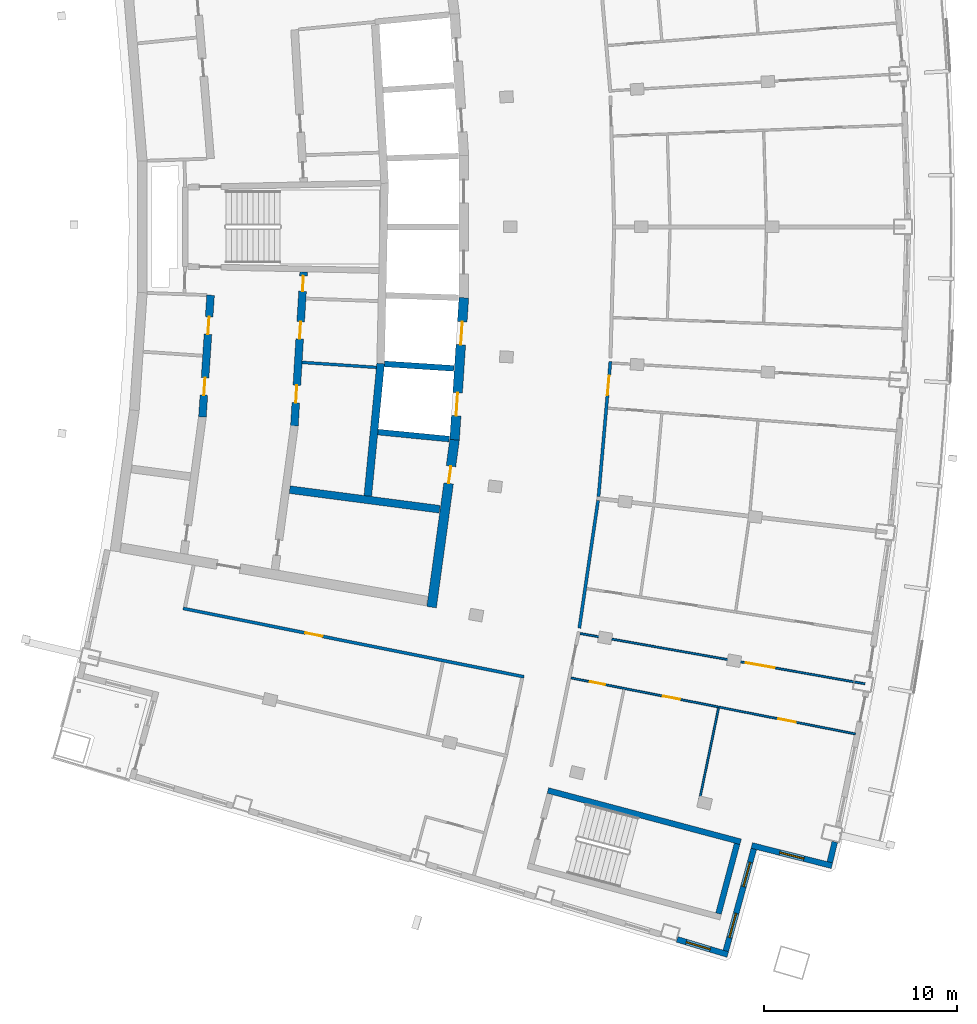
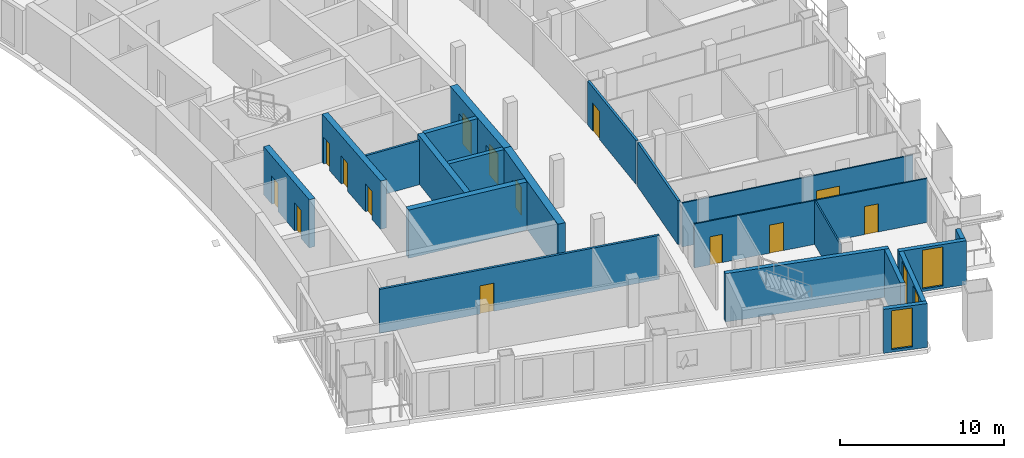
# One storey, part 8 of 17: 21 walls, 14 doors, 4 windows, 18 openings.
"""IFC4 building model written with IfcOpenShell, lengths in metres."""

from ifc_helpers import new_model, si_unit, direction, frame, frame_2d, origin, place, context, subcontext, project, spatial, rectangle, extrude, material, layer, layer_set, type_object, element, fill, save


model = new_model("IFC4")

# Units and contexts
model_context = context("Model", 3, precision=1e-05, world=origin(), true_north=direction((0.0, 1.0)))
body_context = subcontext(model_context, "Body", "Model", "MODEL_VIEW")
ifc_project = project(units=[si_unit("LENGTHUNIT", "METRE"), si_unit("AREAUNIT", "SQUARE_METRE"), si_unit("VOLUMEUNIT", "CUBIC_METRE"), si_unit("PLANEANGLEUNIT", "RADIAN"), si_unit("MASSUNIT", "GRAM", prefix="KILO")], contexts=[model_context])

# Site, building, storey
site_placement = place(None, origin())
site = spatial("IfcSite", under=ifc_project, at=site_placement, CompositionType="ELEMENT")
building_placement = place(site_placement, origin())
building = spatial("IfcBuilding", under=site, at=building_placement, Name="Alderwake Tower", CompositionType="ELEMENT")
storey_placement = place(building_placement, frame((0.0, 0.0, 274.39990234375)))
storey = spatial("IfcBuildingStorey", under=building, at=storey_placement, Name="L68", CompositionType="ELEMENT", Elevation=274.39990234375)

# Wall
ifc_material_1 = material(Name="Gypsum shaft wall system, rated")
ifc_layer_1 = layer(ifc_material_1, 0.14990234375)
ifc_layer_set_1 = layer_set([ifc_layer_1], Name="Core room partition 150")
wall_type_1 = type_object("IfcWallType", Name="Core room partition 150", PredefinedType="PARTITIONING", material=ifc_layer_set_1)
wall_1_placement = place(storey_placement, frame((24.990234375, 53.96142578125, 0.0), z_axis=(0.0, 0.0, 1.0), x_axis=(0.997758824467, -0.06691284031, 0.0)))
element("IfcWall", 1, at=wall_1_placement, inside=storey, type_object=wall_type_1, Name="CW/L68/PR-70_+86", PredefinedType="PARTITIONING", context=body_context, shape_type="SweptSolid", body=[
    extrude(rectangle(XDim=3.86767578125, YDim=0.14990234375, at=frame_2d((1.933837890625, 0.0))), origin(), (0.0, 0.0, 1.0), 3.280029296875),
])

# Wall, opening, door
ifc_material_2 = material(Name="Concrete C70/85", Category="concrete")
ifc_layer_2 = layer(ifc_material_2, 0.5)
ifc_layer_set_2 = layer_set([ifc_layer_2], Name="Core wall outer 500 C70-85")
wall_type_2 = type_object("IfcWallType", Name="Core wall outer 500 C70-85", PredefinedType="SHEAR", material=ifc_layer_set_2)
wall_2_placement = place(storey_placement, frame((32.912109375, 49.960693359375, 0.0), z_axis=(0.0, 0.0, 1.0), x_axis=(-0.1358539401, -0.990728876615, 0.0)))
wall_2 = element("IfcWall", 2, at=wall_2_placement, inside=storey, type_object=wall_type_2, Name="Core wall CW.022", PredefinedType="SHEAR", context=body_context, shape_type="SweptSolid", body=[
    extrude(rectangle(XDim=8.794921875, YDim=0.5, at=frame_2d((4.3974609375, 0.0))), origin(), (0.0, 0.0, 1.0), 3.60009765625),
])
opening_1_placement = place(wall_2_placement, frame((1.40283203125, 0.0, 0.0)))
opening_1 = element("IfcOpeningElement", 3, at=opening_1_placement, cuts=wall_2, Name="Opening C050", PredefinedType="OPENING", context=body_context, shape_type="SweptSolid", body=[
    extrude(rectangle(XDim=0.89990234375, YDim=2.10009765625, at=frame_2d((0.449951171875, 1.050048828125))), frame((0.0, 0.260009765625, 0.0), z_axis=(0.0, -1.0, 0.0), x_axis=(1.0, 0.0, 0.0)), (0.0, 0.0, 1.0), 0.52001953125),
])
ifc_material_3 = material(Name="Painted steel leaf", Category="steel")
door_type_1 = type_object("IfcDoorType", Name="Core room door 900", OperationType="SINGLE_SWING_LEFT", PredefinedType="DOOR", material=ifc_material_3)
door_1_placement = place(opening_1_placement, origin())
door_1 = element("IfcDoor", 4, at=door_1_placement, inside=storey, type_object=door_type_1, Name="Room door", OperationType="SINGLE_SWING_RIGHT", OverallHeight=2.10009765625, OverallWidth=0.89990234375, PredefinedType="DOOR", context=body_context, shape_type="SweptSolid", body=[
    extrude(rectangle(XDim=0.89990234375, YDim=2.10009765625, at=frame_2d((0.449951171875, 1.050048828125))), frame((0.0, 0.02490234375, 0.0), z_axis=(0.0, -1.0, 0.0), x_axis=(1.0, 0.0, 0.0)), (0.0, 0.0, 1.0), 0.050048828125),
])
fill(opening_1, door_1)

# Wall, openings, doors
wall_3_placement = place(storey_placement, frame((32.91015625, 49.942138671875, 0.0), z_axis=(0.0, 0.0, 1.0), x_axis=(0.064980500916, 0.997886533881, 0.0)))
wall_3 = element("IfcWall", 5, at=wall_3_placement, inside=storey, type_object=wall_type_2, Name="Core wall CW.021", PredefinedType="SHEAR", context=body_context, shape_type="SweptSolid", body=[
    extrude(rectangle(XDim=7.39404296875, YDim=0.5, at=frame_2d((3.697021484375, 0.0))), origin(), (0.0, 0.0, 1.0), 3.60009765625),
])
opening_2_placement = place(wall_3_placement, frame((1.253173828125, 0.0, 0.0)))
opening_2 = element("IfcOpeningElement", 6, at=opening_2_placement, cuts=wall_3, Name="Opening LD-HP1", PredefinedType="OPENING", context=body_context, shape_type="SweptSolid", body=[
    extrude(rectangle(XDim=1.199951171875, YDim=2.300048828125, at=frame_2d((0.60009765625, 1.14990234375))), frame((0.0, 0.260009765625, 0.0), z_axis=(0.0, -1.0, 0.0), x_axis=(1.0, 0.0, 0.0)), (0.0, 0.0, 1.0), 0.52001953125),
])
opening_3_placement = place(wall_3_placement, frame((4.941650390625, 0.0, 0.0)))
opening_3 = element("IfcOpeningElement", 7, at=opening_3_placement, cuts=wall_3, Name="Opening LD-HP2", PredefinedType="OPENING", context=body_context, shape_type="SweptSolid", body=[
    extrude(rectangle(XDim=1.199951171875, YDim=2.300048828125, at=frame_2d((0.60009765625, 1.14990234375))), frame((0.0, 0.260009765625, 0.0), z_axis=(0.0, -1.0, 0.0), x_axis=(1.0, 0.0, 0.0)), (0.0, 0.0, 1.0), 0.52001953125),
])
ifc_material_4 = material(Name="Stainless steel sliding leaf", Category="steel")
door_type_2 = type_object("IfcDoorType", Name="Lift landing door 1200", OperationType="SLIDING_TO_LEFT", PredefinedType="DOOR", material=ifc_material_4)
door_2_placement = place(opening_2_placement, origin())
door_2 = element("IfcDoor", 8, at=door_2_placement, inside=storey, type_object=door_type_2, Name="Lift landing door HP1", OperationType="SLIDING_TO_LEFT", OverallHeight=2.300048828125, OverallWidth=1.199951171875, PredefinedType="DOOR", context=body_context, shape_type="SweptSolid", body=[
    extrude(rectangle(XDim=1.199951171875, YDim=2.300048828125, at=frame_2d((0.60009765625, 1.14990234375))), frame((0.0, 0.02490234375, 0.0), z_axis=(0.0, -1.0, 0.0), x_axis=(1.0, 0.0, 0.0)), (0.0, 0.0, 1.0), 0.050048828125),
])
fill(opening_2, door_2)
door_3_placement = place(opening_3_placement, origin())
door_3 = element("IfcDoor", 9, at=door_3_placement, inside=storey, type_object=door_type_2, Name="Lift landing door HP2", OperationType="SLIDING_TO_LEFT", OverallHeight=2.300048828125, OverallWidth=1.199951171875, PredefinedType="DOOR", context=body_context, shape_type="SweptSolid", body=[
    extrude(rectangle(XDim=1.199951171875, YDim=2.300048828125, at=frame_2d((0.60009765625, 1.14990234375))), frame((0.0, 0.02490234375, 0.0), z_axis=(0.0, -1.0, 0.0), x_axis=(1.0, 0.0, 0.0)), (0.0, 0.0, 1.0), 0.050048828125),
])
fill(opening_3, door_3)

# Walls
ifc_material_5 = material(Name="Concrete C70/85", Category="concrete")
ifc_layer_3 = layer(ifc_material_5, 0.300048828125)
ifc_layer_set_3 = layer_set([ifc_layer_3], Name="Core wall shaft 300 C70-85")
wall_type_3 = type_object("IfcWallType", Name="Core wall shaft 300 C70-85", PredefinedType="SHEAR", material=ifc_layer_set_3)
wall_4_placement = place(storey_placement, frame((28.92529296875, 50.341552734375, 0.0), z_axis=(0.0, 0.0, 1.0), x_axis=(0.995243989982, -0.097413553492, 0.0)))
element("IfcWall", 10, at=wall_4_placement, inside=storey, type_object=wall_type_3, Name="Core wall CW.064", PredefinedType="SHEAR", context=body_context, shape_type="SweptSolid", body=[
    extrude(rectangle(XDim=3.724365234375, YDim=0.300048828125, at=frame_2d((1.8623046875, 0.0))), origin(), (0.0, 0.0, 1.0), 3.60009765625),
])
wall_5_placement = place(storey_placement, frame((29.268798828125, 53.884521484375, 0.0), z_axis=(0.0, 0.0, 1.0), x_axis=(0.997885735437, -0.064992761217, 0.0)))
element("IfcWall", 11, at=wall_5_placement, inside=storey, type_object=wall_type_3, Name="Core wall CW.078", PredefinedType="SHEAR", context=body_context, shape_type="SweptSolid", body=[
    extrude(rectangle(XDim=3.60986328125, YDim=0.300048828125, at=frame_2d((1.804931640625, 0.0))), origin(), (0.0, 0.0, 1.0), 3.60009765625),
])

# Wall, openings, doors
ifc_material_6 = material(Name="Concrete C70/85", Category="concrete")
ifc_layer_4 = layer(ifc_material_6, 0.39990234375)
ifc_layer_set_4 = layer_set([ifc_layer_4], Name="Core wall spine 400 C70-85")
wall_type_4 = type_object("IfcWallType", Name="Core wall spine 400 C70-85", PredefinedType="SHEAR", material=ifc_layer_set_4)
wall_6_placement = place(storey_placement, frame((20.2373046875, 57.451904296875, 0.0), z_axis=(0.0, 0.0, 1.0), x_axis=(-0.066884681503, -0.997760712486, 0.0)))
wall_6 = element("IfcWall", 12, at=wall_6_placement, inside=storey, type_object=wall_type_4, Name="Core wall CW.032", PredefinedType="SHEAR", context=body_context, shape_type="SweptSolid", body=[
    extrude(rectangle(XDim=6.336669921875, YDim=0.39990234375, at=frame_2d((3.16845703125, 0.0))), origin(), (0.0, 0.0, 1.0), 3.60009765625),
])
opening_4_placement = place(wall_6_placement, frame((4.29736328125, 0.0, 0.0)))
opening_4 = element("IfcOpeningElement", 13, at=opening_4_placement, cuts=wall_6, Name="Opening C038", PredefinedType="OPENING", context=body_context, shape_type="SweptSolid", body=[
    extrude(rectangle(XDim=0.89990234375, YDim=2.10009765625, at=frame_2d((0.449951171875, 1.050048828125))), frame((0.0, 0.2099609375, 0.0), z_axis=(0.0, -1.0, 0.0), x_axis=(1.0, 0.0, 0.0)), (0.0, 0.0, 1.0), 0.419921875),
])
opening_5_placement = place(wall_6_placement, frame((1.132080078125, 0.0, 0.0)))
opening_5 = element("IfcOpeningElement", 14, at=opening_5_placement, cuts=wall_6, Name="Opening C042", PredefinedType="OPENING", context=body_context, shape_type="SweptSolid", body=[
    extrude(rectangle(XDim=0.89990234375, YDim=2.10009765625, at=frame_2d((0.449951171875, 1.050048828125))), frame((0.0, 0.2099609375, 0.0), z_axis=(0.0, -1.0, 0.0), x_axis=(1.0, 0.0, 0.0)), (0.0, 0.0, 1.0), 0.419921875),
])
door_4_placement = place(opening_4_placement, origin())
door_4 = element("IfcDoor", 15, at=door_4_placement, inside=storey, type_object=door_type_1, Name="Room door", OperationType="SINGLE_SWING_RIGHT", OverallHeight=2.10009765625, OverallWidth=0.89990234375, PredefinedType="DOOR", context=body_context, shape_type="SweptSolid", body=[
    extrude(rectangle(XDim=0.89990234375, YDim=2.10009765625, at=frame_2d((0.449951171875, 1.050048828125))), frame((0.0, 0.02490234375, 0.0), z_axis=(0.0, -1.0, 0.0), x_axis=(1.0, 0.0, 0.0)), (0.0, 0.0, 1.0), 0.050048828125),
])
fill(opening_4, door_4)
door_5_placement = place(opening_5_placement, origin())
door_5 = element("IfcDoor", 16, at=door_5_placement, inside=storey, type_object=door_type_1, Name="Room door", OperationType="SINGLE_SWING_LEFT", OverallHeight=2.10009765625, OverallWidth=0.89990234375, PredefinedType="DOOR", context=body_context, shape_type="SweptSolid", body=[
    extrude(rectangle(XDim=0.89990234375, YDim=2.10009765625, at=frame_2d((0.449951171875, 1.050048828125))), frame((0.0, 0.02490234375, 0.0), z_axis=(0.0, -1.0, 0.0), x_axis=(1.0, 0.0, 0.0)), (0.0, 0.0, 1.0), 0.050048828125),
])
fill(opening_5, door_5)

wall_7_placement = place(storey_placement, frame((24.590087890625, 50.65673828125, 0.0), z_axis=(0.0, 0.0, 1.0), x_axis=(0.060318641452, 0.998179173041, 0.0)))
wall_7 = element("IfcWall", 17, at=wall_7_placement, inside=storey, type_object=wall_type_4, Name="Core wall CW.046", PredefinedType="SHEAR", context=body_context, shape_type="SweptSolid", body=[
    extrude(rectangle(XDim=8.022216796875, YDim=0.39990234375, at=frame_2d((4.01123046875, 0.0))), origin(), (0.0, 0.0, 1.0), 3.60009765625),
])
opening_6_placement = place(wall_7_placement, frame((7.006103515625, 0.0, 0.0)))
opening_6 = element("IfcOpeningElement", 18, at=opening_6_placement, cuts=wall_7, Name="Opening C006", PredefinedType="OPENING", context=body_context, shape_type="SweptSolid", body=[
    extrude(rectangle(XDim=0.800048828125, YDim=2.0, at=frame_2d((0.39990234375, 1.0))), frame((0.0, 0.2099609375, 0.0), z_axis=(0.0, -1.0, 0.0), x_axis=(1.0, 0.0, 0.0)), (0.0, 0.0, 1.0), 0.419921875),
])
opening_7_placement = place(wall_7_placement, frame((1.21533203125, 0.0, 0.0)))
opening_7 = element("IfcOpeningElement", 19, at=opening_7_placement, cuts=wall_7, Name="Opening C044", PredefinedType="OPENING", context=body_context, shape_type="SweptSolid", body=[
    extrude(rectangle(XDim=0.89990234375, YDim=2.10009765625, at=frame_2d((0.449951171875, 1.050048828125))), frame((0.0, 0.2099609375, 0.0), z_axis=(0.0, -1.0, 0.0), x_axis=(1.0, 0.0, 0.0)), (0.0, 0.0, 1.0), 0.419921875),
])
opening_8_placement = place(wall_7_placement, frame((4.531982421875, 0.0, 0.0)))
opening_8 = element("IfcOpeningElement", 20, at=opening_8_placement, cuts=wall_7, Name="Opening C048", PredefinedType="OPENING", context=body_context, shape_type="SweptSolid", body=[
    extrude(rectangle(XDim=0.89990234375, YDim=2.10009765625, at=frame_2d((0.449951171875, 1.050048828125))), frame((0.0, 0.2099609375, 0.0), z_axis=(0.0, -1.0, 0.0), x_axis=(1.0, 0.0, 0.0)), (0.0, 0.0, 1.0), 0.419921875),
])
door_6_placement = place(opening_7_placement, origin())
door_6 = element("IfcDoor", 21, at=door_6_placement, inside=storey, type_object=door_type_1, Name="Room door", OperationType="SINGLE_SWING_RIGHT", OverallHeight=2.10009765625, OverallWidth=0.89990234375, PredefinedType="DOOR", context=body_context, shape_type="SweptSolid", body=[
    extrude(rectangle(XDim=0.89990234375, YDim=2.10009765625, at=frame_2d((0.449951171875, 1.050048828125))), frame((0.0, 0.02490234375, 0.0), z_axis=(0.0, -1.0, 0.0), x_axis=(1.0, 0.0, 0.0)), (0.0, 0.0, 1.0), 0.050048828125),
])
fill(opening_7, door_6)
door_7_placement = place(opening_8_placement, origin())
door_7 = element("IfcDoor", 22, at=door_7_placement, inside=storey, type_object=door_type_1, Name="Room door", OperationType="SINGLE_SWING_LEFT", OverallHeight=2.10009765625, OverallWidth=0.89990234375, PredefinedType="DOOR", context=body_context, shape_type="SweptSolid", body=[
    extrude(rectangle(XDim=0.89990234375, YDim=2.10009765625, at=frame_2d((0.449951171875, 1.050048828125))), frame((0.0, 0.02490234375, 0.0), z_axis=(0.0, -1.0, 0.0), x_axis=(1.0, 0.0, 0.0)), (0.0, 0.0, 1.0), 0.050048828125),
])
fill(opening_8, door_7)
ifc_material_7 = material(Name="Painted steel leaf, rated", Category="steel")
door_type_3 = type_object("IfcDoorType", Name="Riser access door 800", OperationType="SINGLE_SWING_LEFT", PredefinedType="DOOR", material=ifc_material_7)
door_8_placement = place(opening_6_placement, origin())
door_8 = element("IfcDoor", 23, at=door_8_placement, inside=storey, type_object=door_type_3, Name="Riser access door", OperationType="SINGLE_SWING_RIGHT", OverallHeight=2.0, OverallWidth=0.800048828125, PredefinedType="DOOR", context=body_context, shape_type="SweptSolid", body=[
    extrude(rectangle(XDim=0.800048828125, YDim=2.0, at=frame_2d((0.39990234375, 1.0))), frame((0.0, 0.02490234375, 0.0), z_axis=(0.0, -1.0, 0.0), x_axis=(1.0, 0.0, 0.0)), (0.0, 0.0, 1.0), 0.050048828125),
])
fill(opening_6, door_8)

# Walls
wall_8_placement = place(storey_placement, frame((28.402587890625, 47.0234375, 0.0), z_axis=(0.0, 0.0, 1.0), x_axis=(0.096500230077, 0.995332962177, 0.0)))
element("IfcWall", 24, at=wall_8_placement, inside=storey, type_object=wall_type_4, Name="Core wall CW.005", PredefinedType="SHEAR", context=body_context, shape_type="SweptSolid", body=[
    extrude(rectangle(XDim=6.914306640625, YDim=0.39990234375, at=frame_2d((3.45703125, 0.0))), origin(), (0.0, 0.0, 1.0), 3.60009765625),
])
wall_9_placement = place(storey_placement, frame((24.344482421875, 47.3525390625, 0.0), z_axis=(0.0, 0.0, 1.0), x_axis=(0.991554935657, -0.129687353175, 0.0)))
element("IfcWall", 25, at=wall_9_placement, inside=storey, type_object=wall_type_4, Name="Core wall CW.069", PredefinedType="SHEAR", context=body_context, shape_type="SweptSolid", body=[
    extrude(rectangle(XDim=7.85400390625, YDim=0.39990234375, at=frame_2d((3.927001953125, 0.0))), origin(), (0.0, 0.0, 1.0), 3.60009765625),
])
ifc_material_8 = material(Name="Concrete C70/85", Category="concrete")
ifc_layer_5 = layer(ifc_material_8, 0.300048828125)
ifc_layer_set_5 = layer_set([ifc_layer_5], Name="Core wall stair enclosure 300 C70-85")
wall_type_5 = type_object("IfcWallType", Name="Core wall stair enclosure 300 C70-85", PredefinedType="SHEAR", material=ifc_layer_set_5)
wall_10_placement = place(storey_placement, frame((37.75390625, 31.731201171875, 0.0), z_axis=(0.0, 0.0, 1.0), x_axis=(0.966309214305, -0.257383958996, 0.0)))
element("IfcWall", 26, at=wall_10_placement, inside=storey, type_object=wall_type_5, Name="Core wall CW.086", PredefinedType="SHEAR", context=body_context, shape_type="SweptSolid", body=[
    extrude(rectangle(XDim=10.360107421875, YDim=0.300048828125, at=frame_2d((5.18017578125, 0.0))), origin(), (0.0, 0.0, 1.0), 3.60009765625),
])
wall_11_placement = place(storey_placement, frame((46.6162109375, 25.334716796875, 0.0), z_axis=(0.0, 0.0, 1.0), x_axis=(0.257366821694, 0.966313778796, 0.0)))
element("IfcWall", 27, at=wall_11_placement, inside=storey, type_object=wall_type_5, Name="Core wall CW.085", PredefinedType="SHEAR", context=body_context, shape_type="SweptSolid", body=[
    extrude(rectangle(XDim=3.749755859375, YDim=0.300048828125, at=frame_2d((1.875, 0.0))), origin(), (0.0, 0.0, 1.0), 3.60009765625),
])

# Wall, opening, door
ifc_material_9 = material(Name="Gypsum board on metal studs, rated")
ifc_layer_6 = layer(ifc_material_9, 0.159912109375)
ifc_layer_set_6 = layer_set([ifc_layer_6], Name="Corridor wall 160")
wall_type_6 = type_object("IfcWallType", Name="Corridor wall 160", PredefinedType="PARTITIONING", material=ifc_layer_set_6)
wall_12_placement = place(storey_placement, frame((36.513427734375, 37.63427734375, 0.0), z_axis=(0.0, 0.0, 1.0), x_axis=(-0.980470254867, 0.1966674333, 0.0)))
wall_12 = element("IfcWall", 28, at=wall_12_placement, inside=storey, type_object=wall_type_6, Name="WL/L68/W07", PredefinedType="PARTITIONING", context=body_context, shape_type="SweptSolid", body=[
    extrude(rectangle(XDim=18.053466796875, YDim=0.159912109375, at=frame_2d((9.02685546875, 0.0))), origin(), (0.0, 0.0, 1.0), 3.280029296875),
])
opening_9_placement = place(wall_12_placement, frame((10.6767578125, 0.0, 0.0)))
opening_9 = element("IfcOpeningElement", 29, at=opening_9_placement, cuts=wall_12, Name="Opening R19-SBS1", PredefinedType="OPENING", context=body_context, shape_type="SweptSolid", body=[
    extrude(rectangle(XDim=0.89990234375, YDim=2.10009765625, at=frame_2d((0.449951171875, 1.050048828125))), frame((0.0, 0.08984375, 0.0), z_axis=(0.0, -1.0, 0.0), x_axis=(1.0, 0.0, 0.0)), (0.0, 0.0, 1.0), 0.179931640625),
])
ifc_material_10 = material(Name="Painted timber leaf", Category="wood")
door_type_4 = type_object("IfcDoorType", Name="Room door 900", OperationType="SINGLE_SWING_LEFT", PredefinedType="DOOR", material=ifc_material_10)
door_9_placement = place(opening_9_placement, origin())
door_9 = element("IfcDoor", 30, at=door_9_placement, inside=storey, type_object=door_type_4, Name="DR/L68/SBS1", OperationType="SINGLE_SWING_LEFT", OverallHeight=2.10009765625, OverallWidth=0.89990234375, PredefinedType="DOOR", context=body_context, shape_type="SweptSolid", body=[
    extrude(rectangle(XDim=0.89990234375, YDim=2.10009765625, at=frame_2d((0.449951171875, 1.050048828125))), frame((0.0, 0.02490234375, 0.0), z_axis=(0.0, -1.0, 0.0), x_axis=(1.0, 0.0, 0.0)), (0.0, 0.0, 1.0), 0.050048828125),
])
fill(opening_9, door_9)

# Wall
wall_13_placement = place(storey_placement, frame((39.38671875, 40.160888671875, 0.0), z_axis=(0.0, 0.0, 1.0), x_axis=(0.145513909196, 0.989356205939, 0.0)))
element("IfcWall", 31, at=wall_13_placement, inside=storey, type_object=wall_type_6, Name="WL/L68/W19", PredefinedType="PARTITIONING", context=body_context, shape_type="SweptSolid", body=[
    extrude(rectangle(XDim=6.704345703125, YDim=0.159912109375, at=frame_2d((3.35205078125, 0.0))), origin(), (0.0, 0.0, 1.0), 3.280029296875),
])

# Wall, opening, door
wall_14_placement = place(storey_placement, frame((41.001953125, 54.013671875, 0.0), z_axis=(0.0, 0.0, 1.0), x_axis=(-0.087430787456, -0.996170596537, 0.0)))
wall_14 = element("IfcWall", 32, at=wall_14_placement, inside=storey, type_object=wall_type_6, Name="WL/L68/W22", PredefinedType="PARTITIONING", context=body_context, shape_type="SweptSolid", body=[
    extrude(rectangle(XDim=7.048095703125, YDim=0.159912109375, at=frame_2d((3.52392578125, 0.0))), origin(), (0.0, 0.0, 1.0), 3.280029296875),
])
opening_10_placement = place(wall_14_placement, frame((0.75830078125, 0.0, 0.0)))
opening_10 = element("IfcOpeningElement", 33, at=opening_10_placement, cuts=wall_14, Name="Opening R19-U04.2", PredefinedType="OPENING", context=body_context, shape_type="SweptSolid", body=[
    extrude(rectangle(XDim=1.0, YDim=2.10009765625, at=frame_2d((0.5, 1.050048828125))), frame((0.0, 0.08984375, 0.0), z_axis=(0.0, -1.0, 0.0), x_axis=(1.0, 0.0, 0.0)), (0.0, 0.0, 1.0), 0.179931640625),
])
ifc_material_11 = material(Name="Solid timber leaf in steel frame", Category="steel")
door_type_5 = type_object("IfcDoorType", Name="Flat entrance door 1000 fire-rated", OperationType="SINGLE_SWING_LEFT", PredefinedType="DOOR", material=ifc_material_11)
door_10_placement = place(opening_10_placement, origin())
door_10 = element("IfcDoor", 34, at=door_10_placement, inside=storey, type_object=door_type_5, Name="DR/L68/U04.2", OperationType="SINGLE_SWING_LEFT", OverallHeight=2.10009765625, OverallWidth=1.0, PredefinedType="DOOR", context=body_context, shape_type="SweptSolid", body=[
    extrude(rectangle(XDim=1.0, YDim=2.10009765625, at=frame_2d((0.5, 1.050048828125))), frame((0.0, 0.02490234375, 0.0), z_axis=(0.0, -1.0, 0.0), x_axis=(1.0, 0.0, 0.0)), (0.0, 0.0, 1.0), 0.050048828125),
])
fill(opening_10, door_10)

# Wall
ifc_material_12 = material(Name="Precast concrete C50/60 spandrel panel", Category="concrete")
ifc_layer_7 = layer(ifc_material_12, 0.300048828125)
ifc_layer_set_7 = layer_set([ifc_layer_7], Name="External wall EW1 Precast concrete C50/60 spandrel")
wall_type_7 = type_object("IfcWallType", Name="External wall EW1 Precast concrete C50/60 spandrel", PredefinedType="SOLIDWALL", material=ifc_layer_set_7)
wall_15_placement = place(storey_placement, frame((52.397216796875, 28.002685546875, 0.0), z_axis=(0.0, 0.0, 1.0), x_axis=(0.238401816039, 0.971166604713, 0.0)))
element("IfcWall", 35, at=wall_15_placement, inside=storey, type_object=wall_type_7, Name="External wall 11", PredefinedType="SOLIDWALL", context=body_context, shape_type="SweptSolid", body=[
    extrude(rectangle(XDim=1.08447265625, YDim=0.300048828125, at=frame_2d((0.542236328125, 0.0))), origin(), (0.0, 0.0, 1.0), 3.280029296875),
])

# Wall, opening, window
ifc_material_13 = material(Name="Bronze metal cladding on lightweight framing")
ifc_layer_8 = layer(ifc_material_13, 0.300048828125)
ifc_layer_set_8 = layer_set([ifc_layer_8], Name="External wall EW2 bronze metal cladding")
wall_type_8 = type_object("IfcWallType", Name="External wall EW2 bronze metal cladding", PredefinedType="SOLIDWALL", material=ifc_layer_set_8)
wall_16_placement = place(storey_placement, frame((44.466796875, 23.996826171875, 0.0), z_axis=(0.0, 0.0, 1.0), x_axis=(0.957782232982, -0.287494685489, 0.0)))
wall_16 = element("IfcWall", 36, at=wall_16_placement, inside=storey, type_object=wall_type_8, Name="External wall 8", PredefinedType="SOLIDWALL", context=body_context, shape_type="SweptSolid", body=[
    extrude(rectangle(XDim=2.746337890625, YDim=0.300048828125, at=frame_2d((1.373046875, 0.0))), origin(), (0.0, 0.0, 1.0), 3.280029296875),
])
opening_11_placement = place(wall_16_placement, frame((0.497314453125, 0.0, 0.199951171875)))
opening_11 = element("IfcOpeningElement", 37, at=opening_11_placement, cuts=wall_16, Name="Opening W1", PredefinedType="OPENING", context=body_context, shape_type="SweptSolid", body=[
    extrude(rectangle(XDim=1.300048828125, YDim=2.89990234375, at=frame_2d((0.64990234375, 1.449951171875))), frame((0.0, 0.159912109375, 0.0), z_axis=(0.0, -1.0, 0.0), x_axis=(1.0, 0.0, 0.0)), (0.0, 0.0, 1.0), 0.320068359375),
])
ifc_material_14 = material(Name="Bronze tinted glass in aluminium frame", Category="aluminium")
window_type = type_object("IfcWindowType", Name="Window W1 tall fixed and vent", PartitioningType="DOUBLE_PANEL_VERTICAL", PredefinedType="WINDOW", material=ifc_material_14)
window_1_placement = place(opening_11_placement, origin())
window_1 = element("IfcWindow", 38, at=window_1_placement, inside=storey, type_object=window_type, Name="Window W1 tall fixed and vent", OverallHeight=2.89990234375, OverallWidth=1.300048828125, PartitioningType="DOUBLE_PANEL_VERTICAL", PredefinedType="WINDOW", context=body_context, shape_type="SweptSolid", body=[
    extrude(rectangle(XDim=1.300048828125, YDim=2.89990234375, at=frame_2d((0.64990234375, 1.449951171875))), frame((0.0, 0.030029296875, 0.0), z_axis=(0.0, -1.0, 0.0), x_axis=(1.0, 0.0, 0.0)), (0.0, 0.0, 1.0), 0.06005859375),
])
fill(opening_11, window_1)

# Wall, openings, windows
wall_17_placement = place(storey_placement, frame((46.993408203125, 23.39501953125, 0.0), z_axis=(0.0, 0.0, 1.0), x_axis=(0.265064561746, 0.964230666442, 0.0)))
wall_17 = element("IfcWall", 39, at=wall_17_placement, inside=storey, type_object=wall_type_8, Name="External wall 9", PredefinedType="SOLIDWALL", context=body_context, shape_type="SweptSolid", body=[
    extrude(rectangle(XDim=5.494140625, YDim=0.300048828125, at=frame_2d((2.7470703125, 0.0))), origin(), (0.0, 0.0, 1.0), 3.280029296875),
])
opening_12_placement = place(wall_17_placement, frame((0.7236328125, 0.0, 0.199951171875)))
opening_12 = element("IfcOpeningElement", 40, at=opening_12_placement, cuts=wall_17, Name="Opening W1", PredefinedType="OPENING", context=body_context, shape_type="SweptSolid", body=[
    extrude(rectangle(XDim=1.300048828125, YDim=2.89990234375, at=frame_2d((0.64990234375, 1.449951171875))), frame((0.0, 0.159912109375, 0.0), z_axis=(0.0, -1.0, 0.0), x_axis=(1.0, 0.0, 0.0)), (0.0, 0.0, 1.0), 0.320068359375),
])
opening_13_placement = place(wall_17_placement, frame((3.470703125, 0.0, 0.199951171875)))
opening_13 = element("IfcOpeningElement", 41, at=opening_13_placement, cuts=wall_17, Name="Opening W1", PredefinedType="OPENING", context=body_context, shape_type="SweptSolid", body=[
    extrude(rectangle(XDim=1.300048828125, YDim=2.89990234375, at=frame_2d((0.64990234375, 1.449951171875))), frame((0.0, 0.159912109375, 0.0), z_axis=(0.0, -1.0, 0.0), x_axis=(1.0, 0.0, 0.0)), (0.0, 0.0, 1.0), 0.320068359375),
])
window_2_placement = place(opening_12_placement, origin())
window_2 = element("IfcWindow", 42, at=window_2_placement, inside=storey, type_object=window_type, Name="Window W1 tall fixed and vent", OverallHeight=2.89990234375, OverallWidth=1.300048828125, PartitioningType="DOUBLE_PANEL_VERTICAL", PredefinedType="WINDOW", context=body_context, shape_type="SweptSolid", body=[
    extrude(rectangle(XDim=1.300048828125, YDim=2.89990234375, at=frame_2d((0.64990234375, 1.449951171875))), frame((0.0, 0.030029296875, 0.0), z_axis=(0.0, -1.0, 0.0), x_axis=(1.0, 0.0, 0.0)), (0.0, 0.0, 1.0), 0.06005859375),
])
fill(opening_12, window_2)
window_3_placement = place(opening_13_placement, origin())
window_3 = element("IfcWindow", 43, at=window_3_placement, inside=storey, type_object=window_type, Name="Window W1 tall fixed and vent", OverallHeight=2.89990234375, OverallWidth=1.300048828125, PartitioningType="DOUBLE_PANEL_VERTICAL", PredefinedType="WINDOW", context=body_context, shape_type="SweptSolid", body=[
    extrude(rectangle(XDim=1.300048828125, YDim=2.89990234375, at=frame_2d((0.64990234375, 1.449951171875))), frame((0.0, 0.030029296875, 0.0), z_axis=(0.0, -1.0, 0.0), x_axis=(1.0, 0.0, 0.0)), (0.0, 0.0, 1.0), 0.06005859375),
])
fill(opening_13, window_3)

# Wall, opening, window
wall_18_placement = place(storey_placement, frame((48.343994140625, 28.8740234375, 0.0), z_axis=(0.0, 0.0, 1.0), x_axis=(0.969429385377, -0.245370468408, 0.0)))
wall_18 = element("IfcWall", 44, at=wall_18_placement, inside=storey, type_object=wall_type_8, Name="External wall 10", PredefinedType="SOLIDWALL", context=body_context, shape_type="SweptSolid", body=[
    extrude(rectangle(XDim=4.29443359375, YDim=0.300048828125, at=frame_2d((2.147216796875, 0.0))), origin(), (0.0, 0.0, 1.0), 3.280029296875),
])
opening_14_placement = place(wall_18_placement, frame((1.4970703125, 0.0, 0.199951171875)))
opening_14 = element("IfcOpeningElement", 45, at=opening_14_placement, cuts=wall_18, Name="Opening W1", PredefinedType="OPENING", context=body_context, shape_type="SweptSolid", body=[
    extrude(rectangle(XDim=1.300048828125, YDim=2.89990234375, at=frame_2d((0.64990234375, 1.449951171875))), frame((0.0, 0.159912109375, 0.0), z_axis=(0.0, -1.0, 0.0), x_axis=(1.0, 0.0, 0.0)), (0.0, 0.0, 1.0), 0.320068359375),
])
window_4_placement = place(opening_14_placement, origin())
window_4 = element("IfcWindow", 46, at=window_4_placement, inside=storey, type_object=window_type, Name="Window W1 tall fixed and vent", OverallHeight=2.89990234375, OverallWidth=1.300048828125, PartitioningType="DOUBLE_PANEL_VERTICAL", PredefinedType="WINDOW", context=body_context, shape_type="SweptSolid", body=[
    extrude(rectangle(XDim=1.300048828125, YDim=2.89990234375, at=frame_2d((0.64990234375, 1.449951171875))), frame((0.0, 0.030029296875, 0.0), z_axis=(0.0, -1.0, 0.0), x_axis=(1.0, 0.0, 0.0)), (0.0, 0.0, 1.0), 0.06005859375),
])
fill(opening_14, window_4)

# Wall, openings, doors
ifc_material_15 = material(Name="Gypsum board on metal studs")
ifc_layer_9 = layer(ifc_material_15, 0.10009765625)
ifc_layer_set_9 = layer_set([ifc_layer_9], Name="Unit partition 100")
wall_type_9 = type_object("IfcWallType", Name="Unit partition 100", PredefinedType="PARTITIONING", material=ifc_layer_set_9)
wall_19_placement = place(storey_placement, frame((53.72705078125, 34.6650390625, 0.0), z_axis=(0.0, 0.0, 1.0), x_axis=(-0.981164801692, 0.193172544429, 0.0)))
wall_19 = element("IfcWall", 47, at=wall_19_placement, inside=storey, type_object=wall_type_9, Name="WL/L68/W38", PredefinedType="PARTITIONING", context=body_context, shape_type="SweptSolid", body=[
    extrude(rectangle(XDim=15.061279296875, YDim=0.10009765625, at=frame_2d((7.53076171875, 0.0))), origin(), (0.0, 0.0, 1.0), 3.280029296875),
])
opening_15_placement = place(wall_19_placement, frame((9.288330078125, 0.0, 0.0)))
opening_15 = element("IfcOpeningElement", 48, at=opening_15_placement, cuts=wall_19, Name="Opening R19-U03.1", PredefinedType="OPENING", context=body_context, shape_type="SweptSolid", body=[
    extrude(rectangle(XDim=0.89990234375, YDim=2.10009765625, at=frame_2d((0.449951171875, 1.050048828125))), frame((0.0, 0.06005859375, 0.0), z_axis=(0.0, -1.0, 0.0), x_axis=(1.0, 0.0, 0.0)), (0.0, 0.0, 1.0), 0.1201171875),
])
opening_16_placement = place(wall_19_placement, frame((13.251708984375, 0.0, 0.0)))
opening_16 = element("IfcOpeningElement", 49, at=opening_16_placement, cuts=wall_19, Name="Opening R19-U03.3", PredefinedType="OPENING", context=body_context, shape_type="SweptSolid", body=[
    extrude(rectangle(XDim=0.800048828125, YDim=2.10009765625, at=frame_2d((0.39990234375, 1.050048828125))), frame((0.0, 0.06005859375, 0.0), z_axis=(0.0, -1.0, 0.0), x_axis=(1.0, 0.0, 0.0)), (0.0, 0.0, 1.0), 0.1201171875),
])
opening_17_placement = place(wall_19_placement, frame((3.1669921875, 0.0, 0.0)))
opening_17 = element("IfcOpeningElement", 50, at=opening_17_placement, cuts=wall_19, Name="Opening R19-U03.4", PredefinedType="OPENING", context=body_context, shape_type="SweptSolid", body=[
    extrude(rectangle(XDim=0.89990234375, YDim=2.10009765625, at=frame_2d((0.449951171875, 1.050048828125))), frame((0.0, 0.06005859375, 0.0), z_axis=(0.0, -1.0, 0.0), x_axis=(1.0, 0.0, 0.0)), (0.0, 0.0, 1.0), 0.1201171875),
])
ifc_material_16 = material(Name="Painted timber leaf", Category="wood")
door_type_6 = type_object("IfcDoorType", Name="Bathroom door 800", OperationType="SINGLE_SWING_LEFT", PredefinedType="DOOR", material=ifc_material_16)
door_11_placement = place(opening_16_placement, origin())
door_11 = element("IfcDoor", 51, at=door_11_placement, inside=storey, type_object=door_type_6, Name="DR/L68/U03.3", OperationType="SINGLE_SWING_LEFT", OverallHeight=2.10009765625, OverallWidth=0.800048828125, PredefinedType="DOOR", context=body_context, shape_type="SweptSolid", body=[
    extrude(rectangle(XDim=0.800048828125, YDim=2.10009765625, at=frame_2d((0.39990234375, 1.050048828125))), frame((0.0, 0.02490234375, 0.0), z_axis=(0.0, -1.0, 0.0), x_axis=(1.0, 0.0, 0.0)), (0.0, 0.0, 1.0), 0.050048828125),
])
fill(opening_16, door_11)
door_12_placement = place(opening_15_placement, origin())
door_12 = element("IfcDoor", 52, at=door_12_placement, inside=storey, type_object=door_type_4, Name="DR/L68/U03.1", OperationType="SINGLE_SWING_LEFT", OverallHeight=2.10009765625, OverallWidth=0.89990234375, PredefinedType="DOOR", context=body_context, shape_type="SweptSolid", body=[
    extrude(rectangle(XDim=0.89990234375, YDim=2.10009765625, at=frame_2d((0.449951171875, 1.050048828125))), frame((0.0, 0.02490234375, 0.0), z_axis=(0.0, -1.0, 0.0), x_axis=(1.0, 0.0, 0.0)), (0.0, 0.0, 1.0), 0.050048828125),
])
fill(opening_15, door_12)
door_13_placement = place(opening_17_placement, origin())
door_13 = element("IfcDoor", 53, at=door_13_placement, inside=storey, type_object=door_type_4, Name="DR/L68/U03.4", OperationType="SINGLE_SWING_LEFT", OverallHeight=2.10009765625, OverallWidth=0.89990234375, PredefinedType="DOOR", context=body_context, shape_type="SweptSolid", body=[
    extrude(rectangle(XDim=0.89990234375, YDim=2.10009765625, at=frame_2d((0.449951171875, 1.050048828125))), frame((0.0, 0.02490234375, 0.0), z_axis=(0.0, -1.0, 0.0), x_axis=(1.0, 0.0, 0.0)), (0.0, 0.0, 1.0), 0.050048828125),
])
fill(opening_17, door_13)

# Wall
wall_20_placement = place(storey_placement, frame((45.612060546875, 31.14599609375, 0.0), z_axis=(0.0, 0.0, 1.0), x_axis=(0.202543889805, 0.979273185941, 0.0)))
element("IfcWall", 54, at=wall_20_placement, inside=storey, type_object=wall_type_9, Name="WL/L68/W46", PredefinedType="PARTITIONING", context=body_context, shape_type="SweptSolid", body=[
    extrude(rectangle(XDim=4.970947265625, YDim=0.10009765625, at=frame_2d((2.4853515625, 0.0))), origin(), (0.0, 0.0, 1.0), 3.280029296875),
])

# Wall, opening, door
wall_21_placement = place(storey_placement, frame((39.4267578125, 39.883056640625, 0.0), z_axis=(0.0, 0.0, 1.0), x_axis=(0.984742299106, -0.174018976985, 0.0)))
wall_21 = element("IfcWall", 55, at=wall_21_placement, inside=storey, type_object=wall_type_9, Name="WL/L68/W54", PredefinedType="PARTITIONING", context=body_context, shape_type="SweptSolid", body=[
    extrude(rectangle(XDim=15.021484375, YDim=0.10009765625, at=frame_2d((7.5107421875, 0.0))), origin(), (0.0, 0.0, 1.0), 3.280029296875),
])
opening_18_placement = place(wall_21_placement, frame((8.75244140625, 0.0, 0.0)))
opening_18 = element("IfcOpeningElement", 56, at=opening_18_placement, cuts=wall_21, Name="Opening R19-U03.8", PredefinedType="OPENING", context=body_context, shape_type="SweptSolid", body=[
    extrude(rectangle(XDim=1.5, YDim=2.10009765625, at=frame_2d((0.75, 1.050048828125))), frame((0.0, 0.06005859375, 0.0), z_axis=(0.0, -1.0, 0.0), x_axis=(1.0, 0.0, 0.0)), (0.0, 0.0, 1.0), 0.1201171875),
])
ifc_material_17 = material(Name="Painted timber leaves", Category="wood")
door_type_7 = type_object("IfcDoorType", Name="Double leaf door 1500", OperationType="DOUBLE_DOOR_SINGLE_SWING", PredefinedType="DOOR", material=ifc_material_17)
door_14_placement = place(opening_18_placement, origin())
door_14 = element("IfcDoor", 57, at=door_14_placement, inside=storey, type_object=door_type_7, Name="DR/L68/U03.8", OperationType="DOUBLE_DOOR_SINGLE_SWING", OverallHeight=2.10009765625, OverallWidth=1.5, PredefinedType="DOOR", context=body_context, shape_type="SweptSolid", body=[
    extrude(rectangle(XDim=1.5, YDim=2.10009765625, at=frame_2d((0.75, 1.050048828125))), frame((0.0, 0.02490234375, 0.0), z_axis=(0.0, -1.0, 0.0), x_axis=(1.0, 0.0, 0.0)), (0.0, 0.0, 1.0), 0.050048828125),
])
fill(opening_18, door_14)

save(model, "model.ifc")
